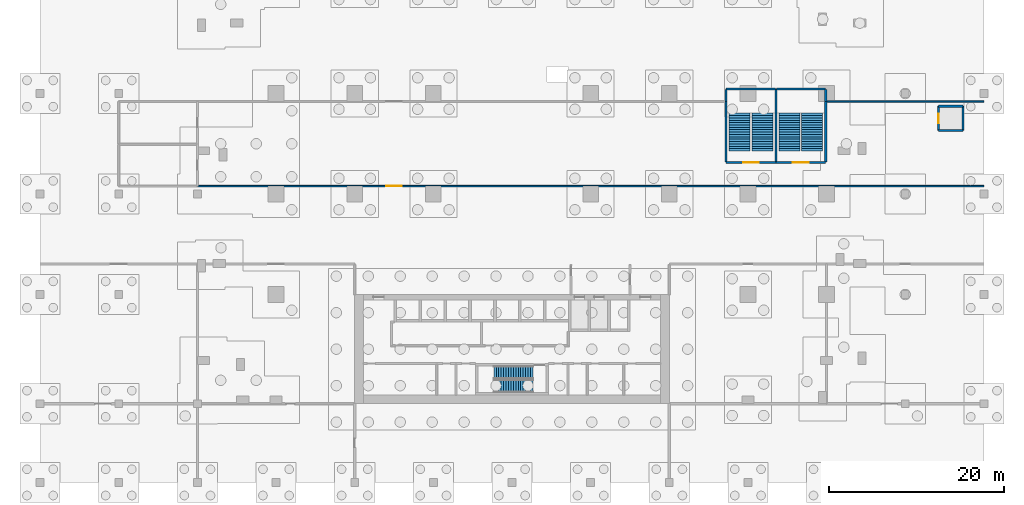
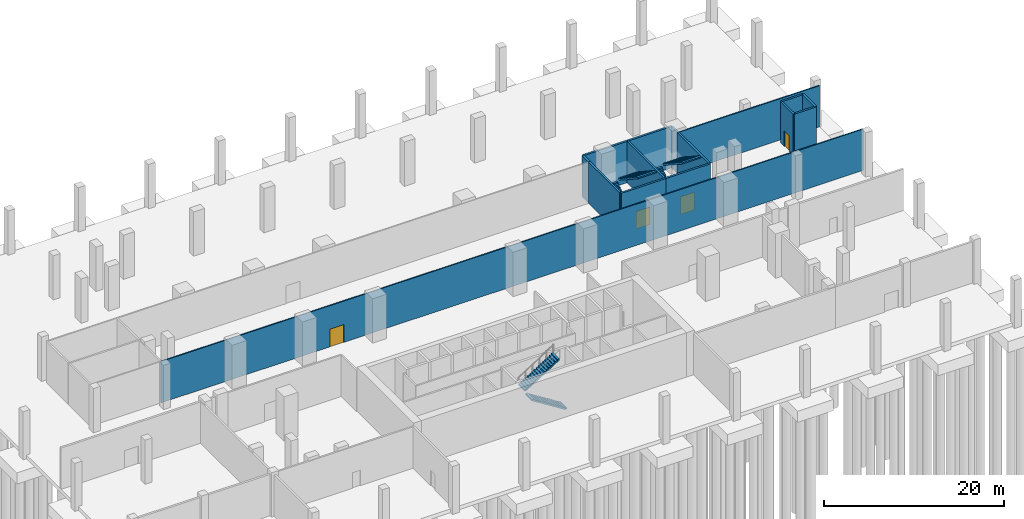
# One storey, part 7 of 9: 15 walls, 6 stair flights, 4 doors, 4 openings, 3 elements without a shape of their own.
"""IFC4 building model written with IfcOpenShell, lengths in metres."""

from ifc_helpers import new_model, si_unit, direction, frame, frame_2d, origin, place, context, subcontext, project, spatial, polyline, rectangle, outline, extrude, material, layer, layer_set, type_object, element, fill, aggregate, save


model = new_model("IFC4")

# Units and contexts
model_context = context("Model", 3, precision=1e-05, world=origin(), true_north=direction((0.0, 1.0)))
body_context = subcontext(model_context, "Body", "Model", "MODEL_VIEW")
ifc_project = project(units=[si_unit("LENGTHUNIT", "METRE"), si_unit("AREAUNIT", "SQUARE_METRE"), si_unit("VOLUMEUNIT", "CUBIC_METRE"), si_unit("PLANEANGLEUNIT", "RADIAN"), si_unit("MASSUNIT", "GRAM", prefix="KILO")], contexts=[model_context])

# Site, building, storey
site_placement = place(None, origin())
site = spatial("IfcSite", under=ifc_project, at=site_placement, CompositionType="ELEMENT")
building_placement = place(site_placement, origin())
building = spatial("IfcBuilding", under=site, at=building_placement, Name="Brigalow Station Residences", CompositionType="ELEMENT")
storey_placement = place(building_placement, frame((0.0, 0.0, -6.0)))
storey = spatial("IfcBuildingStorey", under=building, at=storey_placement, Name="B1", CompositionType="ELEMENT", Elevation=-6.0)

# Wall, opening, door
ifc_material_1 = material(Name="Toughened laminated glass in stainless steel frame", Category="steel")
ifc_layer_1 = layer(ifc_material_1, 0.14990234375)
ifc_layer_set_1 = layer_set([ifc_layer_1], Name="PLATFORM EDGE BARRIER")
wall_type_1 = type_object("IfcWallType", Name="PLATFORM EDGE BARRIER", PredefinedType="PARTITIONING", material=ifc_layer_set_1)
wall_1_placement = place(storey_placement, frame((0.0, 24.89990234375, 0.0), z_axis=(0.0, 0.0, 1.0), x_axis=(1.0, 0.0, 0.0)))
wall_1 = element("IfcWall", 1, at=wall_1_placement, inside=storey, type_object=wall_type_1, Name="Platform Edge Barrier Station Platform / Track 1 (Rail Operator)", PredefinedType="PARTITIONING", context=body_context, shape_type="SweptSolid", body=[
    extrude(rectangle(XDim=90.0, YDim=0.14990234375, at=frame_2d((45.0, 0.0))), origin(), (0.0, 0.0, 1.0), 5.597900390625),
])
opening_1_placement = place(wall_1_placement, frame((21.60009765625, 0.0, 0.0)))
opening_1 = element("IfcOpeningElement", 2, at=opening_1_placement, cuts=wall_1, Name="Opening D-7001", PredefinedType="OPENING", context=body_context, shape_type="SweptSolid", body=[
    extrude(rectangle(XDim=1.800048828125, YDim=2.39990234375, at=frame_2d((0.89990234375, 1.199951171875))), frame((0.0, 0.0849609375, 0.0), z_axis=(0.0, -1.0, 0.0), x_axis=(1.0, 0.0, 0.0)), (0.0, 0.0, 1.0), 0.169921875),
])
ifc_material_2 = material(Name="Timber door leaves in steel frame", Category="steel")
door_type_1 = type_object("IfcDoorType", Name="DOOR DOUBLE 1800", OperationType="DOUBLE_DOOR_SINGLE_SWING", PredefinedType="DOOR", material=ifc_material_2)
door_1_placement = place(opening_1_placement, frame((1.800048828125, 0.0, 0.0), z_axis=(0.0, 0.0, 1.0), x_axis=(-1.0, 0.0, 0.0)))
door_1 = element("IfcDoor", 3, at=door_1_placement, inside=storey, type_object=door_type_1, Name="Platform screen door to track 1", OperationType="DOUBLE_DOOR_SINGLE_SWING", OverallHeight=2.39990234375, OverallWidth=1.800048828125, PredefinedType="DOOR", context=body_context, shape_type="SweptSolid", body=[
    extrude(rectangle(XDim=1.800048828125, YDim=2.39990234375, at=frame_2d((0.89990234375, 1.199951171875))), frame((0.0, 0.02490234375, 0.0), z_axis=(0.0, -1.0, 0.0), x_axis=(1.0, 0.0, 0.0)), (0.0, 0.0, 1.0), 0.050048828125),
])
fill(opening_1, door_1)

# Walls
wall_2_placement = place(storey_placement, frame((71.945068359375, 34.60009765625, 0.0), z_axis=(0.0, 0.0, 1.0), x_axis=(1.0, 0.0, 0.0)))
element("IfcWall", 4, at=wall_2_placement, inside=storey, type_object=wall_type_1, Name="Platform Edge Barrier Station Platform / Track 2 (Rail Operator)", PredefinedType="PARTITIONING", context=body_context, shape_type="SweptSolid", body=[
    extrude(rectangle(XDim=18.054931640625, YDim=0.14990234375, at=frame_2d((9.02734375, 0.0))), origin(), (0.0, 0.0, 1.0), 5.597900390625),
])
ifc_material_3 = material(Name="Concrete blockwork", Category="masonry")
ifc_layer_2 = layer(ifc_material_3, 0.25)
ifc_layer_set_2 = layer_set([ifc_layer_2], Name="SHAFT WALL 250")
wall_type_2 = type_object("IfcWallType", Name="SHAFT WALL 250", PredefinedType="SOLIDWALL", material=ifc_layer_set_2)
for number, where, z_axis, x_axis, name in (
    (5, (84.800048828125, 31.25, 0.0), (0.0, 0.0, 1.0), (1.0, 0.0, 0.0), "Shaft Wall 250 Station Platform / Lift Shaft Lp-1"),
    (6, (84.800048828125, 34.050048828125, 0.0), (0.0, 0.0, 1.0), (1.0, 0.0, 0.0), "Shaft Wall 250 Station Platform / Lift Shaft Lp-1"),
):
    element("IfcWall", number, at=place(storey_placement, frame(where, z_axis=z_axis, x_axis=x_axis)), inside=storey, type_object=wall_type_2, Name=name, PredefinedType="SOLIDWALL", context=body_context, shape_type="SweptSolid", body=[
        extrude(rectangle(XDim=2.800048828125, YDim=0.25, at=frame_2d((1.39990234375, 0.0))), origin(), (0.0, 0.0, 1.0), 5.597900390625),
    ])

# Wall, opening, door
wall_3_placement = place(storey_placement, frame((84.800048828125, 31.25, 0.0), z_axis=(0.0, 0.0, 1.0), x_axis=(0.0, 1.0, 0.0)))
wall_3 = element("IfcWall", 7, at=wall_3_placement, inside=storey, type_object=wall_type_2, Name="Shaft Wall 250 Station Platform / Lift Shaft Lp-1", PredefinedType="SOLIDWALL", context=body_context, shape_type="SweptSolid", body=[
    extrude(rectangle(XDim=2.800048828125, YDim=0.25, at=frame_2d((1.39990234375, 0.0))), origin(), (0.0, 0.0, 1.0), 5.597900390625),
])
opening_2_placement = place(wall_3_placement, frame((0.85009765625, 0.0, 0.0)))
opening_2 = element("IfcOpeningElement", 8, at=opening_2_placement, cuts=wall_3, Name="Opening LD-7005", PredefinedType="OPENING", context=body_context, shape_type="SweptSolid", body=[
    extrude(rectangle(XDim=1.10009765625, YDim=2.10009765625, at=frame_2d((0.550048828125, 1.050048828125))), frame((0.0, 0.135009765625, 0.0), z_axis=(0.0, -1.0, 0.0), x_axis=(1.0, 0.0, 0.0)), (0.0, 0.0, 1.0), 0.27001953125),
])
ifc_material_4 = material(Name="Stainless steel sliding door leaves", Category="steel")
door_type_2 = type_object("IfcDoorType", Name="DOOR LIFT LANDING 1100", OperationType="SLIDING_TO_LEFT", PredefinedType="DOOR", material=ifc_material_4)
door_2_placement = place(opening_2_placement, origin())
door_2 = element("IfcDoor", 9, at=door_2_placement, inside=storey, type_object=door_type_2, Name="Landing door station lift B1", OperationType="SLIDING_TO_LEFT", OverallHeight=2.10009765625, OverallWidth=1.10009765625, PredefinedType="DOOR", context=body_context, shape_type="SweptSolid", body=[
    extrude(rectangle(XDim=1.10009765625, YDim=2.10009765625, at=frame_2d((0.550048828125, 1.050048828125))), frame((0.0, 0.02490234375, 0.0), z_axis=(0.0, -1.0, 0.0), x_axis=(1.0, 0.0, 0.0)), (0.0, 0.0, 1.0), 0.050048828125),
])
fill(opening_2, door_2)

# Wall
wall_4_placement = place(storey_placement, frame((87.60009765625, 31.25, 0.0), z_axis=(0.0, 0.0, 1.0), x_axis=(0.0, 1.0, 0.0)))
element("IfcWall", 10, at=wall_4_placement, inside=storey, type_object=wall_type_2, Name="Shaft Wall 250 Station Platform / Lift Shaft Lp-1", PredefinedType="SOLIDWALL", context=body_context, shape_type="SweptSolid", body=[
    extrude(rectangle(XDim=2.800048828125, YDim=0.25, at=frame_2d((1.39990234375, 0.0))), origin(), (0.0, 0.0, 1.0), 5.597900390625),
])

# Wall, opening, door
ifc_material_5 = material(Name="Concrete C50", Category="concrete")
ifc_layer_3 = layer(ifc_material_5, 0.25)
ifc_layer_set_3 = layer_set([ifc_layer_3], Name="STAIR ENCLOSURE 250")
wall_type_3 = type_object("IfcWallType", Name="STAIR ENCLOSURE 250", PredefinedType="SOLIDWALL", material=ifc_layer_set_3)
wall_5_placement = place(storey_placement, frame((60.5, 27.60009765625, 0.0), z_axis=(0.0, 0.0, 1.0), x_axis=(1.0, 0.0, 0.0)))
wall_5 = element("IfcWall", 11, at=wall_5_placement, inside=storey, type_object=wall_type_3, Name="Stair Enclosure 250 Station Platform / Exit Stair Es1", PredefinedType="SOLIDWALL", context=body_context, shape_type="SweptSolid", body=[
    extrude(rectangle(XDim=5.699951171875, YDim=0.25, at=frame_2d((2.85009765625, 0.0))), origin(), (0.0, 0.0, 1.0), 5.597900390625),
])
opening_3_placement = place(wall_5_placement, frame((1.949951171875, 0.0, 0.0)))
opening_3 = element("IfcOpeningElement", 12, at=opening_3_placement, cuts=wall_5, Name="Opening D-7006", PredefinedType="OPENING", context=body_context, shape_type="SweptSolid", body=[
    extrude(rectangle(XDim=1.800048828125, YDim=2.39990234375, at=frame_2d((0.89990234375, 1.199951171875))), frame((0.0, 0.135009765625, 0.0), z_axis=(0.0, -1.0, 0.0), x_axis=(1.0, 0.0, 0.0)), (0.0, 0.0, 1.0), 0.27001953125),
])
ifc_material_6 = material(Name="Steel fire door leaves in steel frame", Category="steel")
door_type_3 = type_object("IfcDoorType", Name="DOOR DOUBLE 1800 FIRE", OperationType="DOUBLE_DOOR_SINGLE_SWING", PredefinedType="DOOR", material=ifc_material_6)
door_3_placement = place(opening_3_placement, origin())
door_3 = element("IfcDoor", 13, at=door_3_placement, inside=storey, type_object=door_type_3, Name="Exit stair ES1 door", OperationType="DOUBLE_DOOR_SINGLE_SWING", OverallHeight=2.39990234375, OverallWidth=1.800048828125, PredefinedType="DOOR", context=body_context, shape_type="SweptSolid", body=[
    extrude(rectangle(XDim=1.800048828125, YDim=2.39990234375, at=frame_2d((0.89990234375, 1.199951171875))), frame((0.0, 0.02490234375, 0.0), z_axis=(0.0, -1.0, 0.0), x_axis=(1.0, 0.0, 0.0)), (0.0, 0.0, 1.0), 0.050048828125),
])
fill(opening_3, door_3)

# Wall
wall_6_placement = place(storey_placement, frame((60.5, 27.64501953125, 0.0), z_axis=(0.0, 0.0, 1.0), x_axis=(0.0, 1.0, 0.0)))
element("IfcWall", 14, at=wall_6_placement, inside=storey, type_object=wall_type_3, Name="Stair Enclosure 250 Station Platform / Exit Stair Es1", PredefinedType="SOLIDWALL", context=body_context, shape_type="SweptSolid", body=[
    extrude(rectangle(XDim=6.955078125, YDim=0.25, at=frame_2d((3.4775390625, 0.0))), origin(), (0.0, 0.0, 1.0), 5.597900390625),
])

# Wall, opening, door
wall_7_placement = place(storey_placement, frame((66.199951171875, 27.60009765625, 0.0), z_axis=(0.0, 0.0, 1.0), x_axis=(1.0, 0.0, 0.0)))
wall_7 = element("IfcWall", 15, at=wall_7_placement, inside=storey, type_object=wall_type_3, Name="Stair Enclosure 250 Station Platform / Exit Stair Es2", PredefinedType="SOLIDWALL", context=body_context, shape_type="SweptSolid", body=[
    extrude(rectangle(XDim=5.699951171875, YDim=0.25, at=frame_2d((2.85009765625, 0.0))), origin(), (0.0, 0.0, 1.0), 5.597900390625),
])
opening_4_placement = place(wall_7_placement, frame((1.949951171875, 0.0, 0.0)))
opening_4 = element("IfcOpeningElement", 16, at=opening_4_placement, cuts=wall_7, Name="Opening D-7007", PredefinedType="OPENING", context=body_context, shape_type="SweptSolid", body=[
    extrude(rectangle(XDim=1.800048828125, YDim=2.39990234375, at=frame_2d((0.89990234375, 1.199951171875))), frame((0.0, 0.135009765625, 0.0), z_axis=(0.0, -1.0, 0.0), x_axis=(1.0, 0.0, 0.0)), (0.0, 0.0, 1.0), 0.27001953125),
])
door_4_placement = place(opening_4_placement, origin())
door_4 = element("IfcDoor", 17, at=door_4_placement, inside=storey, type_object=door_type_3, Name="Exit stair ES2 door", OperationType="DOUBLE_DOOR_SINGLE_SWING", OverallHeight=2.39990234375, OverallWidth=1.800048828125, PredefinedType="DOOR", context=body_context, shape_type="SweptSolid", body=[
    extrude(rectangle(XDim=1.800048828125, YDim=2.39990234375, at=frame_2d((0.89990234375, 1.199951171875))), frame((0.0, 0.02490234375, 0.0), z_axis=(0.0, -1.0, 0.0), x_axis=(1.0, 0.0, 0.0)), (0.0, 0.0, 1.0), 0.050048828125),
])
fill(opening_4, door_4)

# Walls
wall_8_placement = place(storey_placement, frame((71.89990234375, 27.64501953125, 0.0), z_axis=(0.0, 0.0, 1.0), x_axis=(0.0, 1.0, 0.0)))
element("IfcWall", 18, at=wall_8_placement, inside=storey, type_object=wall_type_3, Name="Stair Enclosure 250 Station Platform / Exit Stair Es2", PredefinedType="SOLIDWALL", context=body_context, shape_type="SweptSolid", body=[
    extrude(rectangle(XDim=6.955078125, YDim=0.25, at=frame_2d((3.4775390625, 0.0))), origin(), (0.0, 0.0, 1.0), 5.597900390625),
])
wall_9_placement = place(storey_placement, frame((66.199951171875, 27.64501953125, 0.0), z_axis=(0.0, 0.0, 1.0), x_axis=(0.0, 1.0, 0.0)))
element("IfcWall", 19, at=wall_9_placement, inside=storey, type_object=wall_type_3, Name="Stair Enclosure 250 Exit Stair Es1 / Exit Stair Es2", PredefinedType="SOLIDWALL", context=body_context, shape_type="SweptSolid", body=[
    extrude(rectangle(XDim=8.35498046875, YDim=0.25, at=frame_2d((4.177490234375, 0.0))), origin(), (0.0, 0.0, 1.0), 5.597900390625),
])
wall_10_placement = place(storey_placement, frame((60.5, 36.0, 0.0), z_axis=(0.0, 0.0, 1.0), x_axis=(1.0, 0.0, 0.0)))
element("IfcWall", 20, at=wall_10_placement, inside=storey, type_object=wall_type_3, Name="Stair Enclosure 250 Exit Stair Es1 / Track 2 (Rail Operator)", PredefinedType="SOLIDWALL", context=body_context, shape_type="SweptSolid", body=[
    extrude(rectangle(XDim=5.655029296875, YDim=0.25, at=frame_2d((2.82763671875, 0.0))), origin(), (0.0, 0.0, 1.0), 5.597900390625),
])
wall_11_placement = place(storey_placement, frame((60.5, 34.60009765625, 0.0), z_axis=(0.0, 0.0, 1.0), x_axis=(0.0, 1.0, 0.0)))
element("IfcWall", 21, at=wall_11_placement, inside=storey, type_object=wall_type_3, Name="Stair Enclosure 250 Exit Stair Es1 / Track 2 (Rail Operator)", PredefinedType="SOLIDWALL", context=body_context, shape_type="SweptSolid", body=[
    extrude(rectangle(XDim=1.35498046875, YDim=0.25, at=frame_2d((0.677490234375, 0.0))), origin(), (0.0, 0.0, 1.0), 5.597900390625),
])
wall_12_placement = place(storey_placement, frame((66.2451171875, 36.0, 0.0), z_axis=(0.0, 0.0, 1.0), x_axis=(1.0, 0.0, 0.0)))
element("IfcWall", 22, at=wall_12_placement, inside=storey, type_object=wall_type_3, Name="Stair Enclosure 250 Exit Stair Es2 / Track 2 (Rail Operator)", PredefinedType="SOLIDWALL", context=body_context, shape_type="SweptSolid", body=[
    extrude(rectangle(XDim=5.65478515625, YDim=0.25, at=frame_2d((2.827392578125, 0.0))), origin(), (0.0, 0.0, 1.0), 5.597900390625),
])
wall_13_placement = place(storey_placement, frame((71.89990234375, 34.60009765625, 0.0), z_axis=(0.0, 0.0, 1.0), x_axis=(0.0, 1.0, 0.0)))
element("IfcWall", 23, at=wall_13_placement, inside=storey, type_object=wall_type_3, Name="Stair Enclosure 250 Exit Stair Es2 / Track 2 (Rail Operator)", PredefinedType="SOLIDWALL", context=body_context, shape_type="SweptSolid", body=[
    extrude(rectangle(XDim=1.35498046875, YDim=0.25, at=frame_2d((0.677490234375, 0.0))), origin(), (0.0, 0.0, 1.0), 5.597900390625),
])

# Stair, stair flights
ifc_material_7 = material(Name="Concrete C50", Category="concrete")
stair_type_1 = type_object("IfcStairType", Name="EXIT STAIR 1400 2 FLIGHT", PredefinedType="HALF_TURN_STAIR", material=ifc_material_7)
stair_1_placement = place(storey_placement, origin())
stair_1 = element("IfcStair", 24, at=stair_1_placement, inside=storey, type_object=stair_type_1, Name="EXIT STAIR S2 B1", PredefinedType="HALF_TURN_STAIR")
ifc_material_8 = material(Name="Concrete C50", Category="concrete")
stair_flight_type_1 = type_object("IfcStairFlightType", Name="STAIR FLIGHT 1400", PredefinedType="STRAIGHT", material=ifc_material_8)
stair_flight_1_placement = place(storey_placement, frame((38.39990234375, 2.0, 0.0), z_axis=(0.0, 0.0, 1.0), x_axis=(-1.0, 0.0, 0.0)))
stair_flight_1 = element("IfcStairFlight", 25, at=stair_flight_1_placement, type_object=stair_flight_type_1, Name="ST-2 flight 1", NumberOfRisers=17, NumberOfTreads=16, PredefinedType="STRAIGHT", RiserHeight=0.176470588, TreadLength=0.28, context=body_context, shape_type="SweptSolid", body=[
    extrude(outline(polyline([(0.0, 0.0), (0.0, 0.176513671875), (0.280029296875, 0.176513671875), (0.280029296875, 0.35302734375), (0.56005859375, 0.35302734375), (0.56005859375, 0.529296875), (0.840087890625, 0.529296875), (0.840087890625, 0.705810546875), (1.1201171875, 0.705810546875), (1.1201171875, 0.88232421875), (1.39990234375, 0.88232421875), (1.39990234375, 1.058837890625), (1.679931640625, 1.058837890625), (1.679931640625, 1.2353515625), (1.9599609375, 1.2353515625), (1.9599609375, 1.411865234375), (2.239990234375, 1.411865234375), (2.239990234375, 1.588134765625), (2.52001953125, 1.588134765625), (2.52001953125, 1.7646484375), (2.800048828125, 1.7646484375), (2.800048828125, 1.941162109375), (3.080078125, 1.941162109375), (3.080078125, 2.11767578125), (3.360107421875, 2.11767578125), (3.360107421875, 2.294189453125), (3.639892578125, 2.294189453125), (3.639892578125, 2.470703125), (3.919921875, 2.470703125), (3.919921875, 2.64697265625), (4.199951171875, 2.64697265625), (4.199951171875, 2.823486328125), (4.47998046875, 2.823486328125), (4.47998046875, 3.0), (4.47998046875, 2.646240234375), (0.28125, 0.0), (0.0, 0.0)])), frame((0.0, 0.699951171875, 0.0), z_axis=(0.0, -1.0, 0.0), x_axis=(1.0, 0.0, 0.0)), (0.0, 0.0, 1.0), 1.39990234375),
])
stair_flight_2_placement = place(storey_placement, frame((33.919921875, 3.60009765625, 3.0), z_axis=(0.0, 0.0, 1.0), x_axis=(1.0, 0.0, 0.0)))
stair_flight_2 = element("IfcStairFlight", 26, at=stair_flight_2_placement, type_object=stair_flight_type_1, Name="ST-2 flight 2", NumberOfRisers=17, NumberOfTreads=16, PredefinedType="STRAIGHT", RiserHeight=0.176470588, TreadLength=0.28, context=body_context, shape_type="SweptSolid", body=[
    extrude(outline(polyline([(0.0, 0.0), (0.0, 0.176513671875), (0.280029296875, 0.176513671875), (0.280029296875, 0.35302734375), (0.56005859375, 0.35302734375), (0.56005859375, 0.529296875), (0.840087890625, 0.529296875), (0.840087890625, 0.705810546875), (1.1201171875, 0.705810546875), (1.1201171875, 0.88232421875), (1.39990234375, 0.88232421875), (1.39990234375, 1.058837890625), (1.679931640625, 1.058837890625), (1.679931640625, 1.2353515625), (1.9599609375, 1.2353515625), (1.9599609375, 1.411865234375), (2.239990234375, 1.411865234375), (2.239990234375, 1.588134765625), (2.52001953125, 1.588134765625), (2.52001953125, 1.7646484375), (2.800048828125, 1.7646484375), (2.800048828125, 1.941162109375), (3.080078125, 1.941162109375), (3.080078125, 2.11767578125), (3.360107421875, 2.11767578125), (3.360107421875, 2.294189453125), (3.639892578125, 2.294189453125), (3.639892578125, 2.470703125), (3.919921875, 2.470703125), (3.919921875, 2.64697265625), (4.199951171875, 2.64697265625), (4.199951171875, 2.823486328125), (4.47998046875, 2.823486328125), (4.47998046875, 3.0), (4.47998046875, 2.646240234375), (0.28125, 0.0), (0.0, 0.0)])), frame((0.0, 0.699951171875, 0.0), z_axis=(0.0, -1.0, 0.0), x_axis=(1.0, 0.0, 0.0)), (0.0, 0.0, 1.0), 1.39990234375),
])
aggregate(stair_1, [stair_flight_1, stair_flight_2])

ifc_material_9 = material(Name="Concrete C50", Category="concrete")
stair_type_2 = type_object("IfcStairType", Name="STAIR EXIT 2400 2 FLIGHTS", PredefinedType="TWO_STRAIGHT_RUN_STAIR", material=ifc_material_9)
stair_2_placement = place(storey_placement, origin())
stair_2 = element("IfcStair", 27, at=stair_2_placement, inside=storey, type_object=stair_type_2, Name="Exit stair ST-11", PredefinedType="TWO_STRAIGHT_RUN_STAIR")
ifc_material_10 = material(Name="Concrete C50", Category="concrete")
ifc_layer_4 = layer(ifc_material_10, 0.14990234375)
ifc_layer_set_4 = layer_set([ifc_layer_4], Name="STAIR FLIGHT 2400")
stair_flight_type_2 = type_object("IfcStairFlightType", Name="STAIR FLIGHT 2400", PredefinedType="STRAIGHT", material=ifc_layer_set_4)
stair_flight_3_placement = place(storey_placement, frame((62.050048828125, 28.925048828125, 0.0), z_axis=(0.0, 0.0, 1.0), x_axis=(0.0, 1.0, 0.0)))
stair_flight_3 = element("IfcStairFlight", 28, at=stair_flight_3_placement, type_object=stair_flight_type_2, Name="ST-11 flight 1", NumberOfRisers=17, NumberOfTreads=16, PredefinedType="STRAIGHT", RiserHeight=0.176470588, TreadLength=0.27, context=body_context, shape_type="SweptSolid", body=[
    extrude(outline(polyline([(0.0, 0.0), (0.0, 0.176513671875), (0.27001953125, 0.176513671875), (0.27001953125, 0.35302734375), (0.5400390625, 0.35302734375), (0.5400390625, 0.529296875), (0.81005859375, 0.529296875), (0.81005859375, 0.705810546875), (1.080078125, 0.705810546875), (1.080078125, 0.88232421875), (1.35009765625, 0.88232421875), (1.35009765625, 1.058837890625), (1.6201171875, 1.058837890625), (1.6201171875, 1.2353515625), (1.889892578125, 1.2353515625), (1.889892578125, 1.411865234375), (2.159912109375, 1.411865234375), (2.159912109375, 1.588134765625), (2.429931640625, 1.588134765625), (2.429931640625, 1.7646484375), (2.699951171875, 1.7646484375), (2.699951171875, 1.941162109375), (2.969970703125, 1.941162109375), (2.969970703125, 2.11767578125), (3.239990234375, 2.11767578125), (3.239990234375, 2.294189453125), (3.510009765625, 2.294189453125), (3.510009765625, 2.470703125), (3.780029296875, 2.470703125), (3.780029296875, 2.64697265625), (4.050048828125, 2.64697265625), (4.050048828125, 2.823486328125), (4.320068359375, 2.823486328125), (4.320068359375, 3.0), (4.320068359375, 2.64453125), (0.27392578125, 0.0), (0.0, 0.0)])), frame((0.0, 1.199951171875, 0.0), z_axis=(0.0, -1.0, 0.0), x_axis=(1.0, 0.0, 0.0)), (0.0, 0.0, 1.0), 2.39990234375),
])
stair_flight_4_placement = place(storey_placement, frame((64.64990234375, 33.2451171875, 3.0), z_axis=(0.0, 0.0, 1.0), x_axis=(0.0, -1.0, 0.0)))
stair_flight_4 = element("IfcStairFlight", 29, at=stair_flight_4_placement, type_object=stair_flight_type_2, Name="ST-11 flight 2", NumberOfRisers=17, NumberOfTreads=16, PredefinedType="STRAIGHT", RiserHeight=0.176470588, TreadLength=0.27, context=body_context, shape_type="SweptSolid", body=[
    extrude(outline(polyline([(0.0, 0.0), (0.0, 0.176513671875), (0.27001953125, 0.176513671875), (0.27001953125, 0.35302734375), (0.5400390625, 0.35302734375), (0.5400390625, 0.529296875), (0.81005859375, 0.529296875), (0.81005859375, 0.705810546875), (1.080078125, 0.705810546875), (1.080078125, 0.88232421875), (1.35009765625, 0.88232421875), (1.35009765625, 1.058837890625), (1.6201171875, 1.058837890625), (1.6201171875, 1.2353515625), (1.889892578125, 1.2353515625), (1.889892578125, 1.411865234375), (2.159912109375, 1.411865234375), (2.159912109375, 1.588134765625), (2.429931640625, 1.588134765625), (2.429931640625, 1.7646484375), (2.699951171875, 1.7646484375), (2.699951171875, 1.941162109375), (2.969970703125, 1.941162109375), (2.969970703125, 2.11767578125), (3.239990234375, 2.11767578125), (3.239990234375, 2.294189453125), (3.510009765625, 2.294189453125), (3.510009765625, 2.470703125), (3.780029296875, 2.470703125), (3.780029296875, 2.64697265625), (4.050048828125, 2.64697265625), (4.050048828125, 2.823486328125), (4.320068359375, 2.823486328125), (4.320068359375, 3.0), (4.320068359375, 2.64453125), (0.27392578125, 0.0), (0.0, 0.0)])), frame((0.0, 1.199951171875, 0.0), z_axis=(0.0, -1.0, 0.0), x_axis=(1.0, 0.0, 0.0)), (0.0, 0.0, 1.0), 2.39990234375),
])
aggregate(stair_2, [stair_flight_3, stair_flight_4])

stair_3_placement = place(storey_placement, origin())
stair_3 = element("IfcStair", 30, at=stair_3_placement, inside=storey, type_object=stair_type_2, Name="Exit stair ST-12", PredefinedType="TWO_STRAIGHT_RUN_STAIR")
stair_flight_5_placement = place(storey_placement, frame((67.75, 28.925048828125, 0.0), z_axis=(0.0, 0.0, 1.0), x_axis=(0.0, 1.0, 0.0)))
stair_flight_5 = element("IfcStairFlight", 31, at=stair_flight_5_placement, type_object=stair_flight_type_2, Name="ST-12 flight 1", NumberOfRisers=17, NumberOfTreads=16, PredefinedType="STRAIGHT", RiserHeight=0.176470588, TreadLength=0.27, context=body_context, shape_type="SweptSolid", body=[
    extrude(outline(polyline([(0.0, 0.0), (0.0, 0.176513671875), (0.27001953125, 0.176513671875), (0.27001953125, 0.35302734375), (0.5400390625, 0.35302734375), (0.5400390625, 0.529296875), (0.81005859375, 0.529296875), (0.81005859375, 0.705810546875), (1.080078125, 0.705810546875), (1.080078125, 0.88232421875), (1.35009765625, 0.88232421875), (1.35009765625, 1.058837890625), (1.6201171875, 1.058837890625), (1.6201171875, 1.2353515625), (1.889892578125, 1.2353515625), (1.889892578125, 1.411865234375), (2.159912109375, 1.411865234375), (2.159912109375, 1.588134765625), (2.429931640625, 1.588134765625), (2.429931640625, 1.7646484375), (2.699951171875, 1.7646484375), (2.699951171875, 1.941162109375), (2.969970703125, 1.941162109375), (2.969970703125, 2.11767578125), (3.239990234375, 2.11767578125), (3.239990234375, 2.294189453125), (3.510009765625, 2.294189453125), (3.510009765625, 2.470703125), (3.780029296875, 2.470703125), (3.780029296875, 2.64697265625), (4.050048828125, 2.64697265625), (4.050048828125, 2.823486328125), (4.320068359375, 2.823486328125), (4.320068359375, 3.0), (4.320068359375, 2.64453125), (0.27392578125, 0.0), (0.0, 0.0)])), frame((0.0, 1.199951171875, 0.0), z_axis=(0.0, -1.0, 0.0), x_axis=(1.0, 0.0, 0.0)), (0.0, 0.0, 1.0), 2.39990234375),
])
stair_flight_6_placement = place(storey_placement, frame((70.35009765625, 33.2451171875, 3.0), z_axis=(0.0, 0.0, 1.0), x_axis=(0.0, -1.0, 0.0)))
stair_flight_6 = element("IfcStairFlight", 32, at=stair_flight_6_placement, type_object=stair_flight_type_2, Name="ST-12 flight 2", NumberOfRisers=17, NumberOfTreads=16, PredefinedType="STRAIGHT", RiserHeight=0.176470588, TreadLength=0.27, context=body_context, shape_type="SweptSolid", body=[
    extrude(outline(polyline([(0.0, 0.0), (0.0, 0.176513671875), (0.27001953125, 0.176513671875), (0.27001953125, 0.35302734375), (0.5400390625, 0.35302734375), (0.5400390625, 0.529296875), (0.81005859375, 0.529296875), (0.81005859375, 0.705810546875), (1.080078125, 0.705810546875), (1.080078125, 0.88232421875), (1.35009765625, 0.88232421875), (1.35009765625, 1.058837890625), (1.6201171875, 1.058837890625), (1.6201171875, 1.2353515625), (1.889892578125, 1.2353515625), (1.889892578125, 1.411865234375), (2.159912109375, 1.411865234375), (2.159912109375, 1.588134765625), (2.429931640625, 1.588134765625), (2.429931640625, 1.7646484375), (2.699951171875, 1.7646484375), (2.699951171875, 1.941162109375), (2.969970703125, 1.941162109375), (2.969970703125, 2.11767578125), (3.239990234375, 2.11767578125), (3.239990234375, 2.294189453125), (3.510009765625, 2.294189453125), (3.510009765625, 2.470703125), (3.780029296875, 2.470703125), (3.780029296875, 2.64697265625), (4.050048828125, 2.64697265625), (4.050048828125, 2.823486328125), (4.320068359375, 2.823486328125), (4.320068359375, 3.0), (4.320068359375, 2.64453125), (0.27392578125, 0.0), (0.0, 0.0)])), frame((0.0, 1.199951171875, 0.0), z_axis=(0.0, -1.0, 0.0), x_axis=(1.0, 0.0, 0.0)), (0.0, 0.0, 1.0), 2.39990234375),
])
aggregate(stair_3, [stair_flight_5, stair_flight_6])

save(model, "model.ifc")
